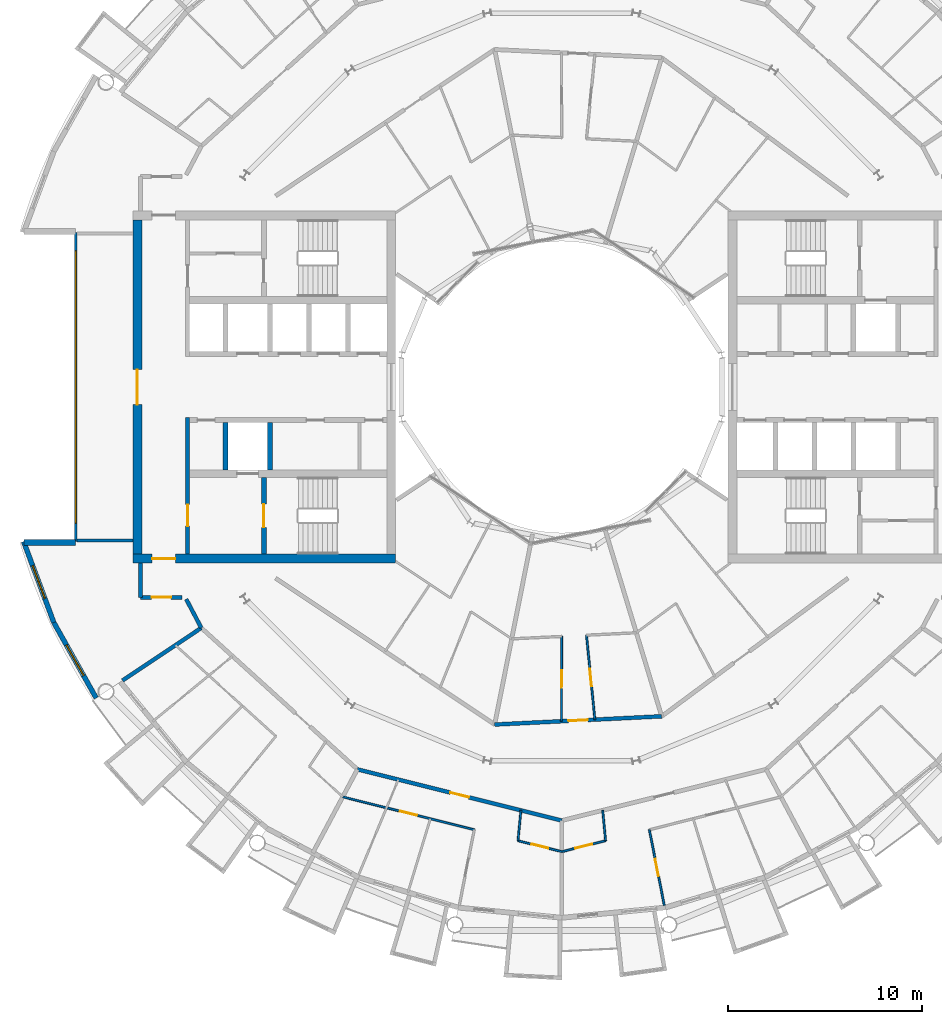
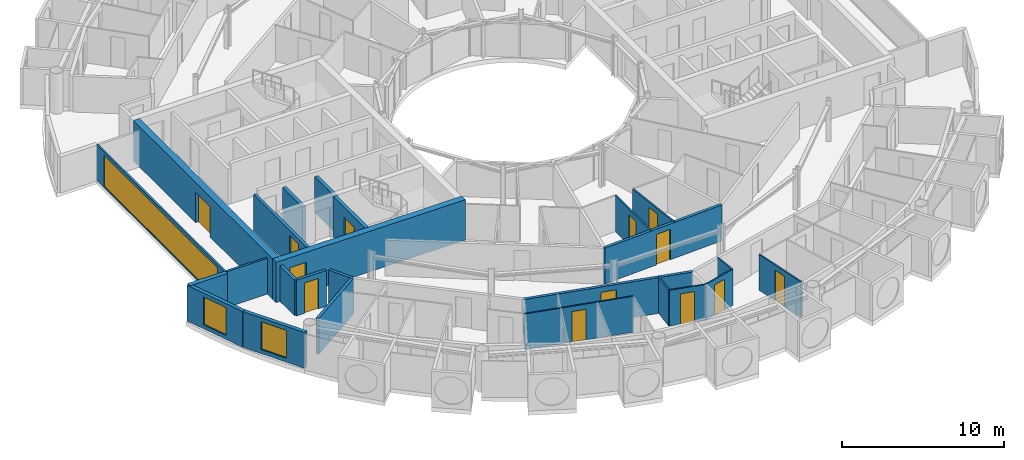
# One storey, part 16 of 29: 25 walls, 13 doors, 3 windows, 16 openings.
"""IFC4 building model written with IfcOpenShell, lengths in metres."""

from ifc_helpers import new_model, si_unit, direction, frame, frame_2d, origin, place, context, subcontext, project, spatial, rectangle, extrude, material, layer, layer_set, type_object, element, fill, save


model = new_model("IFC4")

# Units and contexts
model_context = context("Model", 3, precision=1e-05, world=origin(), true_north=direction((0.0, 1.0)))
body_context = subcontext(model_context, "Body", "Model", "MODEL_VIEW")
ifc_project = project(units=[si_unit("LENGTHUNIT", "METRE"), si_unit("AREAUNIT", "SQUARE_METRE"), si_unit("VOLUMEUNIT", "CUBIC_METRE"), si_unit("PLANEANGLEUNIT", "RADIAN"), si_unit("MASSUNIT", "GRAM", prefix="KILO")], contexts=[model_context])

# Site, building, storey
site_placement = place(None, origin())
site = spatial("IfcSite", under=ifc_project, at=site_placement, CompositionType="ELEMENT")
building_placement = place(site_placement, origin())
building = spatial("IfcBuilding", under=site, at=building_placement, Name="Maasbend Ring Residences", CompositionType="ELEMENT")
storey_placement = place(building_placement, frame((0.0, 0.0, 193.25)))
storey = spatial("IfcBuildingStorey", under=building, at=storey_placement, Name="L55", CompositionType="ELEMENT", Elevation=193.25)

# Wall, opening, door
ifc_material_1 = material(Name="Concrete C50/60", Category="concrete")
ifc_layer_1 = layer(ifc_material_1, 0.25)
ifc_layer_set_1 = layer_set([ifc_layer_1], Name="Concrete C50/60")
wall_type_1 = type_object("IfcWallType", Name="CORE WALL 250 C50/60", PredefinedType="SHEAR", material=ifc_layer_set_1)
wall_1_placement = place(storey_placement, frame((-15.324951171875, -4.64990234375, 0.0), z_axis=(0.0, 0.0, 1.0), x_axis=(0.0, -1.0, 0.0)))
wall_1 = element("IfcWall", 1, at=wall_1_placement, inside=storey, type_object=wall_type_1, Name="L55 core W wall STEN", PredefinedType="SHEAR", context=body_context, shape_type="SweptSolid", body=[
    extrude(rectangle(XDim=3.9501953125, YDim=0.25, at=frame_2d((1.97509765625, 0.0))), origin(), (0.0, 0.0, 1.0), 3.050048828125),
])
opening_1_placement = place(wall_1_placement, frame((1.375, 0.0, 0.0)))
opening_1 = element("IfcOpeningElement", 2, at=opening_1_placement, cuts=wall_1, Name="Opening D-W5510", PredefinedType="OPENING", context=body_context, shape_type="SweptSolid", body=[
    extrude(rectangle(XDim=1.199951171875, YDim=2.300048828125, at=frame_2d((0.60009765625, 1.14990234375))), frame((0.0, 0.135009765625, 0.0), z_axis=(0.0, -1.0, 0.0), x_axis=(1.0, 0.0, 0.0)), (0.0, 0.0, 1.0), 0.27001953125),
])
ifc_material_2 = material(Name="Steel, powder coated", Category="steel")
door_type_1 = type_object("IfcDoorType", Name="STAIR DOOR 1200 X 2300 FD60", OperationType="NOTDEFINED", PredefinedType="DOOR", material=ifc_material_2)
door_1_placement = place(opening_1_placement, origin())
door_1 = element("IfcDoor", 3, at=door_1_placement, inside=storey, type_object=door_type_1, Name="Stair door ST-W L55", OperationType="SINGLE_SWING_LEFT", OverallHeight=2.300048828125, OverallWidth=1.199951171875, PredefinedType="DOOR", context=body_context, shape_type="SweptSolid", body=[
    extrude(rectangle(XDim=1.199951171875, YDim=2.300048828125, at=frame_2d((0.60009765625, 1.14990234375))), frame((0.0, 0.02490234375, 0.0), z_axis=(0.0, -1.0, 0.0), x_axis=(1.0, 0.0, 0.0)), (0.0, 0.0, 1.0), 0.050048828125),
])
fill(opening_1, door_1)

ifc_material_3 = material(Name="Concrete C50/60", Category="concrete")
ifc_layer_2 = layer(ifc_material_3, 0.449951171875)
ifc_layer_set_2 = layer_set([ifc_layer_2], Name="Concrete C50/60")
wall_type_2 = type_object("IfcWallType", Name="CORE WALL 450 C50/60", PredefinedType="SHEAR", material=ifc_layer_set_2)
wall_2_placement = place(storey_placement, frame((-22.050048828125, -8.824951171875, 0.0), z_axis=(0.0, 0.0, 1.0), x_axis=(1.0, 0.0, 0.0)))
wall_2 = element("IfcWall", 4, at=wall_2_placement, inside=storey, type_object=wall_type_2, Name="L55 core W wall PN", PredefinedType="SHEAR", context=body_context, shape_type="SweptSolid", body=[
    extrude(rectangle(XDim=13.5, YDim=0.449951171875, at=frame_2d((6.75, 0.0))), origin(), (0.0, 0.0, 1.0), 3.050048828125),
])
opening_2_placement = place(wall_2_placement, frame((0.97509765625, 0.0, 0.0)))
opening_2 = element("IfcOpeningElement", 5, at=opening_2_placement, cuts=wall_2, Name="Opening D-W5514", PredefinedType="OPENING", context=body_context, shape_type="SweptSolid", body=[
    extrude(rectangle(XDim=1.199951171875, YDim=2.300048828125, at=frame_2d((0.60009765625, 1.14990234375))), frame((0.0, 0.23486328125, 0.0), z_axis=(0.0, -1.0, 0.0), x_axis=(1.0, 0.0, 0.0)), (0.0, 0.0, 1.0), 0.469970703125),
])
ifc_material_4 = material(Name="Steel, powder coated", Category="steel")
door_type_2 = type_object("IfcDoorType", Name="CORRIDOR DOOR 1200 X 2300 FD30S", OperationType="NOTDEFINED", PredefinedType="DOOR", material=ifc_material_4)
door_2_placement = place(opening_2_placement, origin())
door_2 = element("IfcDoor", 6, at=door_2_placement, inside=storey, type_object=door_type_2, Name="Corridor door L55", OperationType="SINGLE_SWING_RIGHT", OverallHeight=2.300048828125, OverallWidth=1.199951171875, PredefinedType="DOOR", context=body_context, shape_type="SweptSolid", body=[
    extrude(rectangle(XDim=1.199951171875, YDim=2.300048828125, at=frame_2d((0.60009765625, 1.14990234375))), frame((0.0, 0.02490234375, 0.0), z_axis=(0.0, -1.0, 0.0), x_axis=(1.0, 0.0, 0.0)), (0.0, 0.0, 1.0), 0.050048828125),
])
fill(opening_2, door_2)

wall_3_placement = place(storey_placement, frame((-21.824951171875, -8.60009765625, 0.0), z_axis=(0.0, 0.0, 1.0), x_axis=(0.0, 1.0, 0.0)))
wall_3 = element("IfcWall", 7, at=wall_3_placement, inside=storey, type_object=wall_type_2, Name="L55 core W wall POUT", PredefinedType="SHEAR", context=body_context, shape_type="SweptSolid", body=[
    extrude(rectangle(XDim=17.2001953125, YDim=0.449951171875, at=frame_2d((8.60009765625, 0.0))), origin(), (0.0, 0.0, 1.0), 3.050048828125),
])
opening_3_placement = place(wall_3_placement, frame((7.699951171875, 0.0, 0.0)))
opening_3 = element("IfcOpeningElement", 8, at=opening_3_placement, cuts=wall_3, Name="Opening D-W5516", PredefinedType="OPENING", context=body_context, shape_type="SweptSolid", body=[
    extrude(rectangle(XDim=1.800048828125, YDim=2.300048828125, at=frame_2d((0.89990234375, 1.14990234375))), frame((0.0, 0.23486328125, 0.0), z_axis=(0.0, -1.0, 0.0), x_axis=(1.0, 0.0, 0.0)), (0.0, 0.0, 1.0), 0.469970703125),
])
ifc_material_5 = material(Name="Aluminium frame, clear glass", Category="aluminium")
door_type_3 = type_object("IfcDoorType", Name="ENTRANCE DOOR 1800 X 2300 FD60", OperationType="NOTDEFINED", PredefinedType="DOOR", material=ifc_material_5)
door_3_placement = place(opening_3_placement, origin())
door_3 = element("IfcDoor", 9, at=door_3_placement, inside=storey, type_object=door_type_3, Name="Lobby glazed door L55", OperationType="SINGLE_SWING_LEFT", OverallHeight=2.300048828125, OverallWidth=1.800048828125, PredefinedType="DOOR", context=body_context, shape_type="SweptSolid", body=[
    extrude(rectangle(XDim=1.800048828125, YDim=2.300048828125, at=frame_2d((0.89990234375, 1.14990234375))), frame((0.0, 0.02490234375, 0.0), z_axis=(0.0, -1.0, 0.0), x_axis=(1.0, 0.0, 0.0)), (0.0, 0.0, 1.0), 0.050048828125),
])
fill(opening_3, door_3)

# Wall
ifc_material_6 = material(Name="Concrete C30/37", Category="concrete")
ifc_layer_3 = layer(ifc_material_6, 0.199951171875)
ifc_layer_set_3 = layer_set([ifc_layer_3], Name="Concrete C30/37")
wall_type_3 = type_object("IfcWallType", Name="CORRIDOR WALL 200 CONCRETE", PredefinedType="PARTITIONING", material=ifc_layer_set_3)
wall_4_placement = place(storey_placement, frame((-19.31689453125, -10.9150390625, 0.0), z_axis=(0.0, 0.0, 1.0), x_axis=(0.465359652486, -0.885121683068, 0.0)))
element("IfcWall", 10, at=wall_4_placement, inside=storey, type_object=wall_type_3, Name="U-L55-w009", PredefinedType="PARTITIONING", context=body_context, shape_type="SweptSolid", body=[
    extrude(rectangle(XDim=1.665283203125, YDim=0.199951171875, at=frame_2d((0.83251953125, 0.0))), origin(), (0.0, 0.0, 1.0), 2.699951171875),
])

# Wall, opening, door
wall_5_placement = place(storey_placement, frame((-10.51708984375, -19.6650390625, 0.0), z_axis=(0.0, 0.0, 1.0), x_axis=(0.970023226325, -0.243012222716, 0.0)))
wall_5 = element("IfcWall", 11, at=wall_5_placement, inside=storey, type_object=wall_type_3, Name="U-L55-w014", PredefinedType="PARTITIONING", context=body_context, shape_type="SweptSolid", body=[
    extrude(rectangle(XDim=10.84716796875, YDim=0.199951171875, at=frame_2d((5.423583984375, 0.0))), origin(), (0.0, 0.0, 1.0), 2.699951171875),
])
opening_4_placement = place(wall_5_placement, frame((4.924072265625, 0.0, 0.0)))
opening_4 = element("IfcOpeningElement", 12, at=opening_4_placement, cuts=wall_5, Name="Opening D-5542", PredefinedType="OPENING", context=body_context, shape_type="SweptSolid", body=[
    extrude(rectangle(XDim=1.0, YDim=2.300048828125, at=frame_2d((0.5, 1.14990234375))), frame((0.0, 0.10986328125, 0.0), z_axis=(0.0, -1.0, 0.0), x_axis=(1.0, 0.0, 0.0)), (0.0, 0.0, 1.0), 0.219970703125),
])
ifc_material_7 = material(Name="Timber, fire-rated, painted", Category="wood")
door_type_4 = type_object("IfcDoorType", Name="FLAT ENTRANCE DOOR 1000 X 2300 FIRE-RATED", OperationType="NOTDEFINED", PredefinedType="DOOR", material=ifc_material_7)
door_4_placement = place(opening_4_placement, origin())
door_4 = element("IfcDoor", 13, at=door_4_placement, inside=storey, type_object=door_type_4, Name="D-5542", OperationType="SINGLE_SWING_RIGHT", OverallHeight=2.300048828125, OverallWidth=1.0, PredefinedType="DOOR", context=body_context, shape_type="SweptSolid", body=[
    extrude(rectangle(XDim=1.0, YDim=2.300048828125, at=frame_2d((0.5, 1.14990234375))), frame((0.0, 0.02490234375, 0.0), z_axis=(0.0, -1.0, 0.0), x_axis=(1.0, 0.0, 0.0)), (0.0, 0.0, 1.0), 0.050048828125),
])
fill(opening_4, door_4)

wall_6_placement = place(storey_placement, frame((-3.452880859375, -17.361083984375, 0.0), z_axis=(0.0, 0.0, 1.0), x_axis=(0.998789433108, 0.049190124121, 0.0)))
wall_6 = element("IfcWall", 14, at=wall_6_placement, inside=storey, type_object=wall_type_3, Name="U-L55-w017", PredefinedType="PARTITIONING", context=body_context, shape_type="SweptSolid", body=[
    extrude(rectangle(XDim=8.601318359375, YDim=0.199951171875, at=frame_2d((4.30078125, 0.0))), origin(), (0.0, 0.0, 1.0), 2.699951171875),
])
opening_5_placement = place(wall_6_placement, frame((3.802978515625, 0.0, 0.0)))
opening_5 = element("IfcOpeningElement", 15, at=opening_5_placement, cuts=wall_6, Name="Opening D-5564", PredefinedType="OPENING", context=body_context, shape_type="SweptSolid", body=[
    extrude(rectangle(XDim=1.0, YDim=2.300048828125, at=frame_2d((0.5, 1.14990234375))), frame((0.0, 0.10986328125, 0.0), z_axis=(0.0, -1.0, 0.0), x_axis=(1.0, 0.0, 0.0)), (0.0, 0.0, 1.0), 0.219970703125),
])
door_5_placement = place(opening_5_placement, origin())
door_5 = element("IfcDoor", 16, at=door_5_placement, inside=storey, type_object=door_type_4, Name="D-5564", OperationType="SINGLE_SWING_RIGHT", OverallHeight=2.300048828125, OverallWidth=1.0, PredefinedType="DOOR", context=body_context, shape_type="SweptSolid", body=[
    extrude(rectangle(XDim=1.0, YDim=2.300048828125, at=frame_2d((0.5, 1.14990234375))), frame((0.0, 0.02490234375, 0.0), z_axis=(0.0, -1.0, 0.0), x_axis=(1.0, 0.0, 0.0)), (0.0, 0.0, 1.0), 0.050048828125),
])
fill(opening_5, door_5)

wall_7_placement = place(storey_placement, frame((-21.675048828125, -10.824951171875, 0.0), z_axis=(0.0, 0.0, 1.0), x_axis=(1.0, 0.0, 0.0)))
wall_7 = element("IfcWall", 17, at=wall_7_placement, inside=storey, type_object=wall_type_3, Name="U-L55-w026", PredefinedType="PARTITIONING", context=body_context, shape_type="SweptSolid", body=[
    extrude(rectangle(XDim=2.152099609375, YDim=0.199951171875, at=frame_2d((1.076171875, 0.0))), origin(), (0.0, 0.0, 1.0), 2.699951171875),
])
opening_6_placement = place(wall_7_placement, frame((0.575927734375, 0.0, 0.0)))
opening_6 = element("IfcOpeningElement", 18, at=opening_6_placement, cuts=wall_7, Name="Opening D-5571", PredefinedType="OPENING", context=body_context, shape_type="SweptSolid", body=[
    extrude(rectangle(XDim=1.0, YDim=2.300048828125, at=frame_2d((0.5, 1.14990234375))), frame((0.0, 0.10986328125, 0.0), z_axis=(0.0, -1.0, 0.0), x_axis=(1.0, 0.0, 0.0)), (0.0, 0.0, 1.0), 0.219970703125),
])
ifc_material_8 = material(Name="Timber, painted", Category="wood")
door_type_5 = type_object("IfcDoorType", Name="ROOM DOOR 1000 X 2300", OperationType="NOTDEFINED", PredefinedType="DOOR", material=ifc_material_8)
door_6_placement = place(opening_6_placement, origin())
door_6 = element("IfcDoor", 19, at=door_6_placement, inside=storey, type_object=door_type_5, Name="D-5571", OperationType="SINGLE_SWING_LEFT", OverallHeight=2.300048828125, OverallWidth=1.0, PredefinedType="DOOR", context=body_context, shape_type="SweptSolid", body=[
    extrude(rectangle(XDim=1.0, YDim=2.300048828125, at=frame_2d((0.5, 1.14990234375))), frame((0.0, 0.02490234375, 0.0), z_axis=(0.0, -1.0, 0.0), x_axis=(1.0, 0.0, 0.0)), (0.0, 0.0, 1.0), 0.050048828125),
])
fill(opening_6, door_6)

# Wall
wall_8_placement = place(storey_placement, frame((-21.675048828125, -10.824951171875, 0.0), z_axis=(0.0, 0.0, 1.0), x_axis=(0.0, 1.0, 0.0)))
element("IfcWall", 20, at=wall_8_placement, inside=storey, type_object=wall_type_3, Name="U-L55-w108", PredefinedType="PARTITIONING", context=body_context, shape_type="SweptSolid", body=[
    extrude(rectangle(XDim=1.77490234375, YDim=0.199951171875, at=frame_2d((0.887451171875, 0.0))), origin(), (0.0, 0.0, 1.0), 2.699951171875),
])

# Wall, opening, window
ifc_material_9 = material(Name="Aluminium clad insulated panel", Category="aluminium")
ifc_layer_4 = layer(ifc_material_9, 0.25)
ifc_layer_set_4 = layer_set([ifc_layer_4], Name="EW-HORN")
wall_type_4 = type_object("IfcWallType", Name="EW-HORN", PredefinedType="SOLIDWALL", material=ifc_layer_set_4)
wall_9_placement = place(storey_placement, frame((-27.681884765625, -7.945068359375, 0.0), z_axis=(0.0, 0.0, 1.0), x_axis=(0.349247811493, -0.937030397675, 0.0)))
wall_9 = element("IfcWall", 21, at=wall_9_placement, inside=storey, type_object=wall_type_4, Name="Horn wall 3.1", PredefinedType="SOLIDWALL", context=body_context, shape_type="SweptSolid", body=[
    extrude(rectangle(XDim=4.4521484375, YDim=0.25, at=frame_2d((2.22607421875, 0.0))), origin(), (0.0, 0.0, 1.0), 2.699951171875),
])
opening_7_placement = place(wall_9_placement, frame((1.32666015625, 0.0, 0.300048828125)))
opening_7 = element("IfcOpeningElement", 22, at=opening_7_placement, cuts=wall_9, Name="Opening W-BX", PredefinedType="OPENING", context=body_context, shape_type="SweptSolid", body=[
    extrude(rectangle(XDim=1.800048828125, YDim=2.10009765625, at=frame_2d((0.89990234375, 1.050048828125))), frame((0.0, 0.135009765625, 0.0), z_axis=(0.0, -1.0, 0.0), x_axis=(1.0, 0.0, 0.0)), (0.0, 0.0, 1.0), 0.27001953125),
])
ifc_material_10 = material(Name="Aluminium and clear glass", Category="aluminium")
window_type_1 = type_object("IfcWindowType", Name="W-BX", PartitioningType="DOUBLE_PANEL_VERTICAL", PredefinedType="WINDOW", material=ifc_material_10)
window_1_placement = place(opening_7_placement, origin())
window_1 = element("IfcWindow", 23, at=window_1_placement, inside=storey, type_object=window_type_1, Name="Horn window 3.1", OverallHeight=2.10009765625, OverallWidth=1.800048828125, PartitioningType="SINGLE_PANEL", PredefinedType="WINDOW", context=body_context, shape_type="SweptSolid", body=[
    extrude(rectangle(XDim=1.800048828125, YDim=2.10009765625, at=frame_2d((0.89990234375, 1.050048828125))), frame((0.0, 0.030029296875, 0.0), z_axis=(0.0, -1.0, 0.0), x_axis=(1.0, 0.0, 0.0)), (0.0, 0.0, 1.0), 0.06005859375),
])
fill(opening_7, window_1)

wall_10_placement = place(storey_placement, frame((-26.126953125, -12.116943359375, 0.0), z_axis=(0.0, 0.0, 1.0), x_axis=(0.489696356642, -0.871893042919, 0.0)))
wall_10 = element("IfcWall", 24, at=wall_10_placement, inside=storey, type_object=wall_type_4, Name="Horn wall 3.2", PredefinedType="SOLIDWALL", context=body_context, shape_type="SweptSolid", body=[
    extrude(rectangle(XDim=4.45361328125, YDim=0.25, at=frame_2d((2.226806640625, 0.0))), origin(), (0.0, 0.0, 1.0), 2.699951171875),
])
opening_8_placement = place(wall_10_placement, frame((1.32666015625, 0.0, 0.300048828125)))
opening_8 = element("IfcOpeningElement", 25, at=opening_8_placement, cuts=wall_10, Name="Opening W-BX", PredefinedType="OPENING", context=body_context, shape_type="SweptSolid", body=[
    extrude(rectangle(XDim=1.800048828125, YDim=2.10009765625, at=frame_2d((0.89990234375, 1.050048828125))), frame((0.0, 0.135009765625, 0.0), z_axis=(0.0, -1.0, 0.0), x_axis=(1.0, 0.0, 0.0)), (0.0, 0.0, 1.0), 0.27001953125),
])
window_2_placement = place(opening_8_placement, origin())
window_2 = element("IfcWindow", 26, at=window_2_placement, inside=storey, type_object=window_type_1, Name="Horn window 3.2", OverallHeight=2.10009765625, OverallWidth=1.800048828125, PartitioningType="SINGLE_PANEL", PredefinedType="WINDOW", context=body_context, shape_type="SweptSolid", body=[
    extrude(rectangle(XDim=1.800048828125, YDim=2.10009765625, at=frame_2d((0.89990234375, 1.050048828125))), frame((0.0, 0.030029296875, 0.0), z_axis=(0.0, -1.0, 0.0), x_axis=(1.0, 0.0, 0.0)), (0.0, 0.0, 1.0), 0.06005859375),
])
fill(opening_8, window_2)

# Wall
ifc_material_11 = material(Name="Aluminium clad insulated panel", Category="aluminium")
ifc_layer_5 = layer(ifc_material_11, 0.300048828125)
ifc_layer_set_5 = layer_set([ifc_layer_5], Name="EW-RET")
wall_type_5 = type_object("IfcWallType", Name="EW-RET", PredefinedType="SOLIDWALL", material=ifc_layer_set_5)
wall_11_placement = place(storey_placement, frame((-25.0, -8.0, 0.0), z_axis=(0.0, 0.0, 1.0), x_axis=(-1.0, 0.0, 0.0)))
element("IfcWall", 27, at=wall_11_placement, inside=storey, type_object=wall_type_5, Name="Notch return wall west south", PredefinedType="SOLIDWALL", context=body_context, shape_type="SweptSolid", body=[
    extrude(rectangle(XDim=2.6669921875, YDim=0.300048828125, at=frame_2d((1.33349609375, 0.0))), origin(), (0.0, 0.0, 1.0), 2.699951171875),
])

# Wall, opening, window
ifc_material_12 = material(Name="Aluminium frame and clear glass", Category="aluminium")
ifc_layer_6 = layer(ifc_material_12, 0.1201171875)
ifc_layer_set_6 = layer_set([ifc_layer_6], Name="GLAZED SCREEN WALL 120 EI 60")
wall_type_6 = type_object("IfcWallType", Name="GLAZED SCREEN WALL 120 EI 60", PredefinedType="PARTITIONING", material=ifc_layer_set_6)
wall_12_placement = place(storey_placement, frame((-25.0, 7.949951171875, 0.0), z_axis=(0.0, 0.0, 1.0), x_axis=(0.0, -1.0, 0.0)))
wall_12 = element("IfcWall", 28, at=wall_12_placement, inside=storey, type_object=wall_type_6, Name="L55 core W wall FACE", PredefinedType="PARTITIONING", context=body_context, shape_type="SweptSolid", body=[
    extrude(rectangle(XDim=15.89990234375, YDim=0.1201171875, at=frame_2d((7.949951171875, 0.0))), origin(), (0.0, 0.0, 1.0), 2.699951171875),
])
opening_9_placement = place(wall_12_placement, frame((0.949951171875, 0.0, 0.10009765625)))
opening_9 = element("IfcOpeningElement", 29, at=opening_9_placement, cuts=wall_12, Name="Opening W-W5502", PredefinedType="OPENING", context=body_context, shape_type="SweptSolid", body=[
    extrude(rectangle(XDim=14.0, YDim=2.35009765625, at=frame_2d((7.0, 1.175048828125))), frame((0.0, 0.070068359375, 0.0), z_axis=(0.0, -1.0, 0.0), x_axis=(1.0, 0.0, 0.0)), (0.0, 0.0, 1.0), 0.14013671875),
])
ifc_material_13 = material(Name="Aluminium frame and clear glass", Category="aluminium")
window_type_2 = type_object("IfcWindowType", Name="FIXED WINDOW 14000 X 2350", PartitioningType="SINGLE_PANEL", PredefinedType="WINDOW", material=ifc_material_13)
window_3_placement = place(opening_9_placement, origin())
window_3 = element("IfcWindow", 30, at=window_3_placement, inside=storey, type_object=window_type_2, Name="Lobby window L55", OverallHeight=2.35009765625, OverallWidth=14.0, PartitioningType="SINGLE_PANEL", PredefinedType="WINDOW", context=body_context, shape_type="SweptSolid", body=[
    extrude(rectangle(XDim=14.0, YDim=2.35009765625, at=frame_2d((7.0, 1.175048828125))), frame((0.0, 0.030029296875, 0.0), z_axis=(0.0, -1.0, 0.0), x_axis=(1.0, 0.0, 0.0)), (0.0, 0.0, 1.0), 0.06005859375),
])
fill(opening_9, window_3)

# Wall, opening, door
ifc_material_14 = material(Name="Gypsum board on steel studs", Category="steel")
ifc_layer_7 = layer(ifc_material_14, 0.10009765625)
ifc_layer_set_7 = layer_set([ifc_layer_7], Name="PARTITION 100 GYPSUM")
wall_type_7 = type_object("IfcWallType", Name="PARTITION 100 GYPSUM", PredefinedType="PARTITIONING", material=ifc_layer_set_7)
wall_13_placement = place(storey_placement, frame((-11.26611328125, -21.080078125, 0.0), z_axis=(0.0, 0.0, 1.0), x_axis=(0.970080680347, -0.24278277043, 0.0)))
wall_13 = element("IfcWall", 31, at=wall_13_placement, inside=storey, type_object=wall_type_7, Name="U-L55-w003", PredefinedType="PARTITIONING", context=body_context, shape_type="SweptSolid", body=[
    extrude(rectangle(XDim=6.972900390625, YDim=0.10009765625, at=frame_2d((3.486328125, 0.0))), origin(), (0.0, 0.0, 1.0), 2.699951171875),
])
opening_10_placement = place(wall_13_placement, frame((3.035888671875, 0.0, 0.0)))
opening_10 = element("IfcOpeningElement", 32, at=opening_10_placement, cuts=wall_13, Name="Opening D-5546", PredefinedType="OPENING", context=body_context, shape_type="SweptSolid", body=[
    extrude(rectangle(XDim=0.89990234375, YDim=2.300048828125, at=frame_2d((0.449951171875, 1.14990234375))), frame((0.0, 0.06005859375, 0.0), z_axis=(0.0, -1.0, 0.0), x_axis=(1.0, 0.0, 0.0)), (0.0, 0.0, 1.0), 0.1201171875),
])
ifc_material_15 = material(Name="Timber, painted", Category="wood")
door_type_6 = type_object("IfcDoorType", Name="INTERNAL DOOR 900 X 2300", OperationType="NOTDEFINED", PredefinedType="DOOR", material=ifc_material_15)
door_7_placement = place(opening_10_placement, origin())
door_7 = element("IfcDoor", 33, at=door_7_placement, inside=storey, type_object=door_type_6, Name="D-5546", OperationType="SINGLE_SWING_LEFT", OverallHeight=2.300048828125, OverallWidth=0.89990234375, PredefinedType="DOOR", context=body_context, shape_type="SweptSolid", body=[
    extrude(rectangle(XDim=0.89990234375, YDim=2.300048828125, at=frame_2d((0.449951171875, 1.14990234375))), frame((0.0, 0.02490234375, 0.0), z_axis=(0.0, -1.0, 0.0), x_axis=(1.0, 0.0, 0.0)), (0.0, 0.0, 1.0), 0.050048828125),
])
fill(opening_10, door_7)

wall_14_placement = place(storey_placement, frame((-2.2529296875, -23.3359375, 0.0), z_axis=(0.0, 0.0, 1.0), x_axis=(0.970068250789, -0.242832429489, 0.0)))
wall_14 = element("IfcWall", 34, at=wall_14_placement, inside=storey, type_object=wall_type_7, Name="U-L55-w004", PredefinedType="PARTITIONING", context=body_context, shape_type="SweptSolid", body=[
    extrude(rectangle(XDim=2.322509765625, YDim=0.10009765625, at=frame_2d((1.1611328125, 0.0))), origin(), (0.0, 0.0, 1.0), 2.699951171875),
])
opening_11_placement = place(wall_14_placement, frame((0.7109375, 0.0, 0.0)))
opening_11 = element("IfcOpeningElement", 35, at=opening_11_placement, cuts=wall_14, Name="Opening D-5543", PredefinedType="OPENING", context=body_context, shape_type="SweptSolid", body=[
    extrude(rectangle(XDim=0.89990234375, YDim=2.300048828125, at=frame_2d((0.449951171875, 1.14990234375))), frame((0.0, 0.06005859375, 0.0), z_axis=(0.0, -1.0, 0.0), x_axis=(1.0, 0.0, 0.0)), (0.0, 0.0, 1.0), 0.1201171875),
])
door_8_placement = place(opening_11_placement, origin())
door_8 = element("IfcDoor", 36, at=door_8_placement, inside=storey, type_object=door_type_6, Name="D-5543", OperationType="SINGLE_SWING_RIGHT", OverallHeight=2.300048828125, OverallWidth=0.89990234375, PredefinedType="DOOR", context=body_context, shape_type="SweptSolid", body=[
    extrude(rectangle(XDim=0.89990234375, YDim=2.300048828125, at=frame_2d((0.449951171875, 1.14990234375))), frame((0.0, 0.02490234375, 0.0), z_axis=(0.0, -1.0, 0.0), x_axis=(1.0, 0.0, 0.0)), (0.0, 0.0, 1.0), 0.050048828125),
])
fill(opening_11, door_8)

wall_15_placement = place(storey_placement, frame((0.0, -23.89990234375, 0.0), z_axis=(0.0, 0.0, 1.0), x_axis=(0.970068250789, 0.242832429489, 0.0)))
wall_15 = element("IfcWall", 37, at=wall_15_placement, inside=storey, type_object=wall_type_7, Name="U-L55-w005", PredefinedType="PARTITIONING", context=body_context, shape_type="SweptSolid", body=[
    extrude(rectangle(XDim=2.322509765625, YDim=0.10009765625, at=frame_2d((1.1611328125, 0.0))), origin(), (0.0, 0.0, 1.0), 2.699951171875),
])
opening_12_placement = place(wall_15_placement, frame((0.7109375, 0.0, 0.0)))
opening_12 = element("IfcOpeningElement", 38, at=opening_12_placement, cuts=wall_15, Name="Opening D-5549", PredefinedType="OPENING", context=body_context, shape_type="SweptSolid", body=[
    extrude(rectangle(XDim=0.89990234375, YDim=2.300048828125, at=frame_2d((0.449951171875, 1.14990234375))), frame((0.0, 0.06005859375, 0.0), z_axis=(0.0, -1.0, 0.0), x_axis=(1.0, 0.0, 0.0)), (0.0, 0.0, 1.0), 0.1201171875),
])
door_9_placement = place(opening_12_placement, origin())
door_9 = element("IfcDoor", 39, at=door_9_placement, inside=storey, type_object=door_type_6, Name="D-5549", OperationType="SINGLE_SWING_LEFT", OverallHeight=2.300048828125, OverallWidth=0.89990234375, PredefinedType="DOOR", context=body_context, shape_type="SweptSolid", body=[
    extrude(rectangle(XDim=0.89990234375, YDim=2.300048828125, at=frame_2d((0.449951171875, 1.14990234375))), frame((0.0, 0.02490234375, 0.0), z_axis=(0.0, -1.0, 0.0), x_axis=(1.0, 0.0, 0.0)), (0.0, 0.0, 1.0), 0.050048828125),
])
fill(opening_12, door_9)

# Wall
wall_16_placement = place(storey_placement, frame((-2.2529296875, -23.3359375, 0.0), z_axis=(0.0, 0.0, 1.0), x_axis=(0.09608568494, 0.995373066317, 0.0)))
element("IfcWall", 40, at=wall_16_placement, inside=storey, type_object=wall_type_7, Name="U-L55-w058", PredefinedType="PARTITIONING", context=body_context, shape_type="SweptSolid", body=[
    extrude(rectangle(XDim=1.5703125, YDim=0.10009765625, at=frame_2d((0.78515625, 0.0))), origin(), (0.0, 0.0, 1.0), 2.699951171875),
])

# Wall, opening, door
wall_17_placement = place(storey_placement, frame((-0.01708984375, -17.19091796875, 0.0), z_axis=(0.0, 0.0, 1.0), x_axis=(0.001175416181, 0.999999309198, 0.0)))
wall_17 = element("IfcWall", 41, at=wall_17_placement, inside=storey, type_object=wall_type_7, Name="U-L55-w060", PredefinedType="PARTITIONING", context=body_context, shape_type="SweptSolid", body=[
    extrude(rectangle(XDim=4.36181640625, YDim=0.10009765625, at=frame_2d((2.180908203125, 0.0))), origin(), (0.0, 0.0, 1.0), 2.699951171875),
])
opening_13_placement = place(wall_17_placement, frame((1.73095703125, 0.0, 0.0)))
opening_13 = element("IfcOpeningElement", 42, at=opening_13_placement, cuts=wall_17, Name="Opening D-5566", PredefinedType="OPENING", context=body_context, shape_type="SweptSolid", body=[
    extrude(rectangle(XDim=0.89990234375, YDim=2.300048828125, at=frame_2d((0.449951171875, 1.14990234375))), frame((0.0, 0.06005859375, 0.0), z_axis=(0.0, -1.0, 0.0), x_axis=(1.0, 0.0, 0.0)), (0.0, 0.0, 1.0), 0.1201171875),
])
door_10_placement = place(opening_13_placement, origin())
door_10 = element("IfcDoor", 43, at=door_10_placement, inside=storey, type_object=door_type_6, Name="D-5566", OperationType="SINGLE_SWING_LEFT", OverallHeight=2.300048828125, OverallWidth=0.89990234375, PredefinedType="DOOR", context=body_context, shape_type="SweptSolid", body=[
    extrude(rectangle(XDim=0.89990234375, YDim=2.300048828125, at=frame_2d((0.449951171875, 1.14990234375))), frame((0.0, 0.02490234375, 0.0), z_axis=(0.0, -1.0, 0.0), x_axis=(1.0, 0.0, 0.0)), (0.0, 0.0, 1.0), 0.050048828125),
])
fill(opening_13, door_10)

wall_18_placement = place(storey_placement, frame((1.27001953125, -12.76611328125, 0.0), z_axis=(0.0, 0.0, 1.0), x_axis=(0.099004993851, -0.9950869365, 0.0)))
wall_18 = element("IfcWall", 44, at=wall_18_placement, inside=storey, type_object=wall_type_7, Name="U-L55-w064", PredefinedType="PARTITIONING", context=body_context, shape_type="SweptSolid", body=[
    extrude(rectangle(XDim=4.3623046875, YDim=0.10009765625, at=frame_2d((2.18115234375, 0.0))), origin(), (0.0, 0.0, 1.0), 2.699951171875),
])
opening_14_placement = place(wall_18_placement, frame((1.73095703125, 0.0, 0.0)))
opening_14 = element("IfcOpeningElement", 45, at=opening_14_placement, cuts=wall_18, Name="Opening D-5565", PredefinedType="OPENING", context=body_context, shape_type="SweptSolid", body=[
    extrude(rectangle(XDim=0.89990234375, YDim=2.300048828125, at=frame_2d((0.449951171875, 1.14990234375))), frame((0.0, 0.06005859375, 0.0), z_axis=(0.0, -1.0, 0.0), x_axis=(1.0, 0.0, 0.0)), (0.0, 0.0, 1.0), 0.1201171875),
])
door_11_placement = place(opening_14_placement, origin())
door_11 = element("IfcDoor", 46, at=door_11_placement, inside=storey, type_object=door_type_6, Name="D-5565", OperationType="SINGLE_SWING_LEFT", OverallHeight=2.300048828125, OverallWidth=0.89990234375, PredefinedType="DOOR", context=body_context, shape_type="SweptSolid", body=[
    extrude(rectangle(XDim=0.89990234375, YDim=2.300048828125, at=frame_2d((0.449951171875, 1.14990234375))), frame((0.0, 0.02490234375, 0.0), z_axis=(0.0, -1.0, 0.0), x_axis=(1.0, 0.0, 0.0)), (0.0, 0.0, 1.0), 0.050048828125),
])
fill(opening_14, door_11)

# Wall
wall_19_placement = place(storey_placement, frame((2.10205078125, -21.77294921875, 0.0), z_axis=(0.0, 0.0, 1.0), x_axis=(0.09608568494, -0.995373066317, 0.0)))
element("IfcWall", 47, at=wall_19_placement, inside=storey, type_object=wall_type_7, Name="U-L55-w066", PredefinedType="PARTITIONING", context=body_context, shape_type="SweptSolid", body=[
    extrude(rectangle(XDim=1.5703125, YDim=0.10009765625, at=frame_2d((0.78515625, 0.0))), origin(), (0.0, 0.0, 1.0), 2.699951171875),
])

# Wall, opening, door
wall_20_placement = place(storey_placement, frame((4.5029296875, -22.77197265625, 0.0), z_axis=(0.0, 0.0, 1.0), x_axis=(0.194089507313, -0.980983824103, 0.0)))
wall_20 = element("IfcWall", 48, at=wall_20_placement, inside=storey, type_object=wall_type_7, Name="U-L55-w070", PredefinedType="PARTITIONING", context=body_context, shape_type="SweptSolid", body=[
    extrude(rectangle(XDim=3.96240234375, YDim=0.10009765625, at=frame_2d((1.981201171875, 0.0))), origin(), (0.0, 0.0, 1.0), 2.699951171875),
])
opening_15_placement = place(wall_20_placement, frame((1.531005859375, 0.0, 0.0)))
opening_15 = element("IfcOpeningElement", 49, at=opening_15_placement, cuts=wall_20, Name="Opening D-5551", PredefinedType="OPENING", context=body_context, shape_type="SweptSolid", body=[
    extrude(rectangle(XDim=0.89990234375, YDim=2.300048828125, at=frame_2d((0.449951171875, 1.14990234375))), frame((0.0, 0.06005859375, 0.0), z_axis=(0.0, -1.0, 0.0), x_axis=(1.0, 0.0, 0.0)), (0.0, 0.0, 1.0), 0.1201171875),
])
door_12_placement = place(opening_15_placement, origin())
door_12 = element("IfcDoor", 50, at=door_12_placement, inside=storey, type_object=door_type_6, Name="D-5551", OperationType="SINGLE_SWING_LEFT", OverallHeight=2.300048828125, OverallWidth=0.89990234375, PredefinedType="DOOR", context=body_context, shape_type="SweptSolid", body=[
    extrude(rectangle(XDim=0.89990234375, YDim=2.300048828125, at=frame_2d((0.449951171875, 1.14990234375))), frame((0.0, 0.02490234375, 0.0), z_axis=(0.0, -1.0, 0.0), x_axis=(1.0, 0.0, 0.0)), (0.0, 0.0, 1.0), 0.050048828125),
])
fill(opening_15, door_12)

# Walls
ifc_material_16 = material(Name="Gypsum board on steel studs", Category="steel")
ifc_layer_8 = layer(ifc_material_16, 0.14990234375)
ifc_layer_set_8 = layer_set([ifc_layer_8], Name="PARTITION 150 EI 60")
wall_type_8 = type_object("IfcWallType", Name="PARTITION 150 EI 60", PredefinedType="PARTITIONING", material=ifc_layer_set_8)
wall_21_placement = place(storey_placement, frame((-22.050048828125, -7.89990234375, 0.0), z_axis=(0.0, 0.0, 1.0), x_axis=(-1.0, 0.0, 0.0)))
element("IfcWall", 51, at=wall_21_placement, inside=storey, type_object=wall_type_8, Name="L55 core W wall CITN", PredefinedType="PARTITIONING", context=body_context, shape_type="SweptSolid", body=[
    extrude(rectangle(XDim=2.889892578125, YDim=0.14990234375, at=frame_2d((1.44482421875, 0.0))), origin(), (0.0, 0.0, 1.0), 2.699951171875),
])
ifc_material_17 = material(Name="Concrete C30/37", Category="concrete")
ifc_layer_9 = layer(ifc_material_17, 0.199951171875)
ifc_layer_set_9 = layer_set([ifc_layer_9], Name="Concrete C30/37")
wall_type_9 = type_object("IfcWallType", Name="PARTY WALL 200 CONCRETE", PredefinedType="PARTITIONING", material=ifc_layer_set_9)
wall_22_placement = place(storey_placement, frame((-22.594970703125, -15.097900390625, 0.0), z_axis=(0.0, 0.0, 1.0), x_axis=(0.831387096605, 0.55569370664, 0.0)))
element("IfcWall", 52, at=wall_22_placement, inside=storey, type_object=wall_type_9, Name="U-L55-w032", PredefinedType="PARTITIONING", context=body_context, shape_type="SweptSolid", body=[
    extrude(rectangle(XDim=4.875, YDim=0.199951171875, at=frame_2d((2.4375, 0.0))), origin(), (0.0, 0.0, 1.0), 2.699951171875),
])

# Wall, opening, door
ifc_material_18 = material(Name="Concrete C30/37", Category="concrete")
ifc_layer_10 = layer(ifc_material_18, 0.199951171875)
ifc_layer_set_10 = layer_set([ifc_layer_10], Name="Concrete C30/37")
wall_type_10 = type_object("IfcWallType", Name="SHAFT WALL 200 EI 120", PredefinedType="SOLIDWALL", material=ifc_layer_set_10)
wall_23_placement = place(storey_placement, frame((-19.25, -1.574951171875, 0.0), z_axis=(0.0, 0.0, 1.0), x_axis=(0.0, -1.0, 0.0)))
wall_23 = element("IfcWall", 53, at=wall_23_placement, inside=storey, type_object=wall_type_10, Name="L55 core W wall ENDN", PredefinedType="SOLIDWALL", context=body_context, shape_type="SweptSolid", body=[
    extrude(rectangle(XDim=7.025146484375, YDim=0.199951171875, at=frame_2d((3.5126953125, 0.0))), origin(), (0.0, 0.0, 1.0), 2.699951171875),
])
opening_16_placement = place(wall_23_placement, frame((4.47509765625, 0.0, 0.0)))
opening_16 = element("IfcOpeningElement", 54, at=opening_16_placement, cuts=wall_23, Name="Opening D-W5512", PredefinedType="OPENING", context=body_context, shape_type="SweptSolid", body=[
    extrude(rectangle(XDim=1.10009765625, YDim=2.300048828125, at=frame_2d((0.550048828125, 1.14990234375))), frame((0.0, 0.10986328125, 0.0), z_axis=(0.0, -1.0, 0.0), x_axis=(1.0, 0.0, 0.0)), (0.0, 0.0, 1.0), 0.219970703125),
])
ifc_material_19 = material(Name="Steel, powder coated", Category="steel")
door_type_7 = type_object("IfcDoorType", Name="LOBBY DOOR 1100 X 2300 FD60", OperationType="NOTDEFINED", PredefinedType="DOOR", material=ifc_material_19)
door_13_placement = place(opening_16_placement, origin())
door_13 = element("IfcDoor", 55, at=door_13_placement, inside=storey, type_object=door_type_7, Name="Lobby door L55", OperationType="SINGLE_SWING_LEFT", OverallHeight=2.300048828125, OverallWidth=1.10009765625, PredefinedType="DOOR", context=body_context, shape_type="SweptSolid", body=[
    extrude(rectangle(XDim=1.10009765625, YDim=2.300048828125, at=frame_2d((0.550048828125, 1.14990234375))), frame((0.0, 0.02490234375, 0.0), z_axis=(0.0, -1.0, 0.0), x_axis=(1.0, 0.0, 0.0)), (0.0, 0.0, 1.0), 0.050048828125),
])
fill(opening_16, door_13)

# Walls
ifc_material_20 = material(Name="Concrete C30/37", Category="concrete")
ifc_layer_11 = layer(ifc_material_20, 0.25)
ifc_layer_set_11 = layer_set([ifc_layer_11], Name="Concrete C30/37")
wall_type_11 = type_object("IfcWallType", Name="SHAFT WALL 250 EI 120", PredefinedType="SOLIDWALL", material=ifc_layer_set_11)
for number, where, z_axis, x_axis, name in (
    (56, (-15.0, -1.824951171875, 0.0), (0.0, 0.0, 1.0), (0.0, -1.0, 0.0), "L55 core W wall D150N"),
    (57, (-17.300048828125, -1.824951171875, 0.0), (0.0, 0.0, 1.0), (0.0, -1.0, 0.0), "L55 core W wall D173N"),
):
    element("IfcWall", number, at=place(storey_placement, frame(where, z_axis=z_axis, x_axis=x_axis)), inside=storey, type_object=wall_type_11, Name=name, PredefinedType="SOLIDWALL", context=body_context, shape_type="SweptSolid", body=[
        extrude(rectangle(XDim=2.449951171875, YDim=0.25, at=frame_2d((1.22509765625, 0.0))), origin(), (0.0, 0.0, 1.0), 2.699951171875),
    ])

save(model, "model.ifc")
